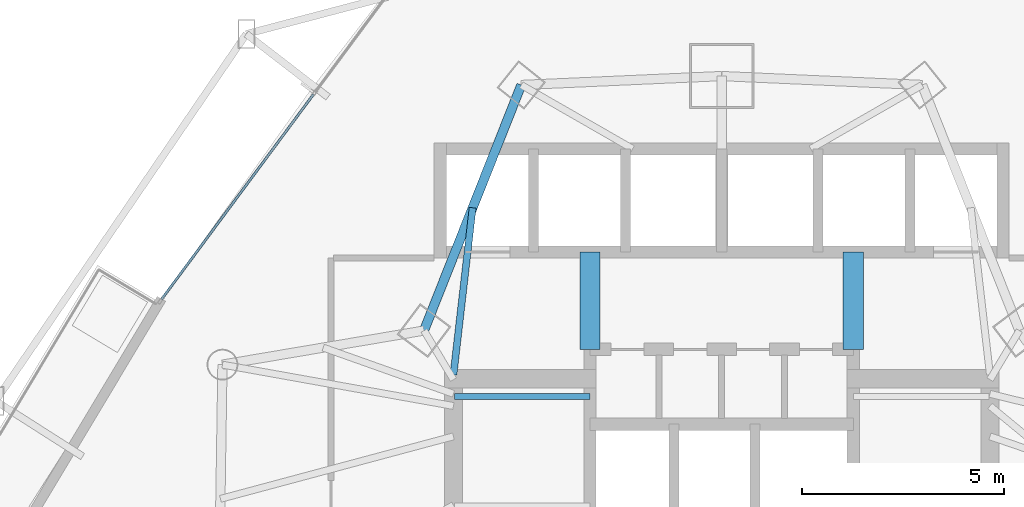
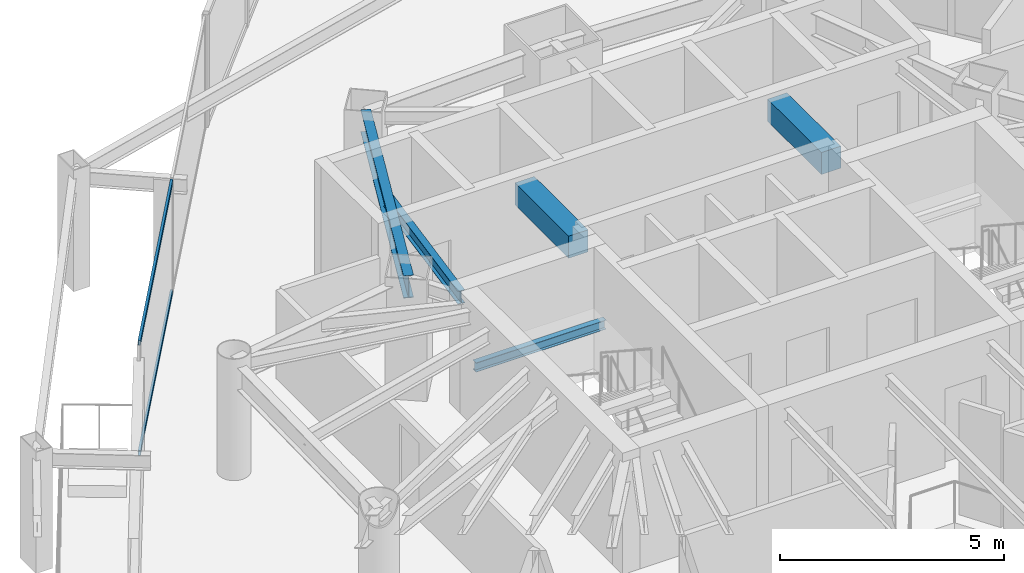
# One storey, part 24 of 38: 5 beams, 2 members, 1 element without a shape of its own.
"""IFC4 building model written with IfcOpenShell, lengths in metres."""

from ifc_helpers import new_model, si_unit, direction, frame, origin, origin_2d, place, context, subcontext, project, spatial, rectangle, hollow_rectangle, i_section, extrude, material, layer, layer_set, material_profile, profile_set, type_object, element, aggregate, save


model = new_model("IFC4")

# Units and contexts
model_context = context("Model", 3, precision=1e-05, world=origin(), true_north=direction((0.0, 1.0)))
body_context = subcontext(model_context, "Body", "Model", "MODEL_VIEW")
ifc_project = project(units=[si_unit("LENGTHUNIT", "METRE"), si_unit("AREAUNIT", "SQUARE_METRE"), si_unit("VOLUMEUNIT", "CUBIC_METRE"), si_unit("PLANEANGLEUNIT", "RADIAN"), si_unit("MASSUNIT", "GRAM", prefix="KILO")], contexts=[model_context])

# Site, building, storey
site_placement = place(None, origin())
site = spatial("IfcSite", under=ifc_project, at=site_placement, CompositionType="ELEMENT")
building_placement = place(site_placement, origin())
building = spatial("IfcBuilding", under=site, at=building_placement, Name="Orvanel Arch Residences", CompositionType="ELEMENT")
storey_placement = place(building_placement, frame((0.0, 0.0, 46.699951171875)))
storey = spatial("IfcBuildingStorey", under=building, at=storey_placement, Name="L12", CompositionType="ELEMENT", Elevation=46.699951171875)

# Beams
ifc_material_1 = material(Name="Structural steel AS/NZS 3679.1 Grade 300 (300 MPa)", Category="steel")
ifc_material_profile_1 = material_profile(ifc_material_1, i_section(OverallWidth=0.14599609375, OverallDepth=0.251953125, WebThickness=0.006103515625, FlangeThickness=0.008544921875, at=origin_2d()), Name="250UB31.4")
ifc_profile_set_1 = profile_set([ifc_material_profile_1], Name="Structural steel AS/NZS 3679.1 Grade 300 (300 MPa)")
beam_type_1 = type_object("IfcBeamType", Name="BJ-250UB", PredefinedType="JOIST", material=ifc_profile_set_1)
beam_1_placement = place(storey_placement, frame((26.39990234375, 33.47998046875, 1.323974609375), z_axis=(1.0, 0.0, 0.0), x_axis=(0.0, 1.0, 0.0)))
element("IfcBeam", 1, at=beam_1_placement, inside=storey, type_object=beam_type_1, Name="L12 ST-1 Half-Landing Support Beam 1.2", PredefinedType="JOIST", context=body_context, shape_type="SweptSolid", body=[
    extrude(i_section(OverallWidth=0.14599609375, OverallDepth=0.251953125, WebThickness=0.006103515625, FlangeThickness=0.008544921875, at=origin_2d()), origin(), (0.0, 0.0, 1.0), 3.35009765625),
])
ifc_material_profile_2 = material_profile(ifc_material_1, i_section(OverallWidth=0.1708984375, OverallDepth=0.35595703125, WebThickness=0.00732421875, FlangeThickness=0.011474609375, at=origin_2d()), Name="360UB50.7")
ifc_profile_set_2 = profile_set([ifc_material_profile_2], Name="Structural steel AS/NZS 3679.1 Grade 300 (300 MPa)")
beam_type_2 = type_object("IfcBeamType", Name="BJ-360UB", PredefinedType="JOIST", material=ifc_profile_set_2)
beam_2_placement = place(storey_placement, frame((26.375, 34.02001953125, 2.882080078125), z_axis=(0.114186670431, 0.993459311847, 0.0), x_axis=(-0.993459311847, 0.114186670431, 0.0)))
element("IfcBeam", 2, at=beam_2_placement, inside=storey, type_object=beam_type_2, Name="L12 NNW2 Wing Floor Joist", PredefinedType="JOIST", context=body_context, shape_type="SweptSolid", body=[
    extrude(i_section(OverallWidth=0.1708984375, OverallDepth=0.35595703125, WebThickness=0.00732421875, FlangeThickness=0.011474609375, at=origin_2d()), origin(), (0.0, 0.0, 1.0), 4.152099609375),
])
ifc_material_2 = material(Name="Concrete S65 (65 MPa)", Category="concrete")
ifc_material_profile_3 = material_profile(ifc_material_2, rectangle(XDim=0.5, YDim=0.60009765625, at=origin_2d()), Name="RC500x600")
ifc_profile_set_3 = profile_set([ifc_material_profile_3], Name="Concrete S65 (65 MPa)")
beam_type_3 = type_object("IfcBeamType", Name="CB-500x600", PredefinedType="LINTEL", material=ifc_profile_set_3)
for number, where, z_axis, x_axis, name in (
    (3, (29.75, 34.64990234375, 2.760009765625), (0.0, 1.0, 0.0), (-1.0, 0.0, 0.0), "L12 West Core Lobby Coupling Lintel Beam"),
    (4, (36.25, 34.64990234375, 2.760009765625), (0.0, 1.0, 0.0), (-1.0, 0.0, 0.0), "L12 East Core Lobby Coupling Lintel Beam"),
):
    element("IfcBeam", number, at=place(storey_placement, frame(where, z_axis=z_axis, x_axis=x_axis)), inside=storey, type_object=beam_type_3, Name=name, PredefinedType="LINTEL", context=body_context, shape_type="SweptSolid", body=[
        extrude(rectangle(XDim=0.5, YDim=0.60009765625, at=origin_2d()), origin(), (0.0, 0.0, 1.0), 2.400146484375),
    ])
ifc_material_profile_4 = material_profile(ifc_material_1, i_section(OverallWidth=0.22900390625, OverallDepth=0.612060546875, WebThickness=0.011962890625, FlangeThickness=0.01953125, at=origin_2d()), Name="610UB125")
ifc_profile_set_4 = profile_set([ifc_material_profile_4], Name="Structural steel AS/NZS 3679.1 Grade 300 (300 MPa)")
beam_type_4 = type_object("IfcBeamType", Name="SP-610UB", PredefinedType="SPANDREL", material=ifc_profile_set_4)
beam_3_placement = place(storey_placement, frame((28.050048828125, 41.177978515625, 2.754150390625), z_axis=(-0.368233143579, -0.929733484376, 0.0), x_axis=(0.929733484376, -0.368233143579, 0.0)))
element("IfcBeam", 5, at=beam_3_placement, inside=storey, type_object=beam_type_4, Name="L12 Perimeter Spandrel Beam 18", PredefinedType="SPANDREL", context=body_context, shape_type="SweptSolid", body=[
    extrude(i_section(OverallWidth=0.22900390625, OverallDepth=0.612060546875, WebThickness=0.011962890625, FlangeThickness=0.01953125, at=origin_2d()), origin(), (0.0, 0.0, 1.0), 6.523193359375),
])

# Curtain wall, members
ifc_material_3 = material(Name="Bronze-anodised aluminium AA6063-T6", Category="aluminium")
ifc_layer = layer(ifc_material_3, 0.179931640625)
ifc_layer_set = layer_set([ifc_layer], Name="Bronze-anodised aluminium AA6063-T6")
curtain_wall_type = type_object("IfcCurtainWallType", Name="CW2-LOW-SYS", PredefinedType="NOTDEFINED", material=ifc_layer_set)
curtain_wall_placement = place(storey_placement, origin())
curtain_wall = element("IfcCurtainWall", 6, at=curtain_wall_placement, inside=storey, type_object=curtain_wall_type, Name="L12 CW2-LOW-SYS Unitised Curtain Wall", PredefinedType="NOTDEFINED")
ifc_material_profile_5 = material_profile(ifc_material_3, hollow_rectangle(XDim=0.06005859375, YDim=0.135009765625, WallThickness=0.00390625, at=origin_2d()), Name="ALU135x60x4")
ifc_profile_set_5 = profile_set([ifc_material_profile_5], Name="Bronze-anodised aluminium AA6063-T6")
member_type = type_object("IfcMemberType", Name="TRN-135x60", PredefinedType="USERDEFINED", material=ifc_profile_set_5)
member_1_placement = place(storey_placement, frame((22.918701171875, 40.947265625, 0.030029296875), z_axis=(-0.595490625908, -0.803362256056, 0.0), x_axis=(0.803362256056, -0.595490625908, 0.0)))
member_1 = element("IfcMember", 7, at=member_1_placement, type_object=member_type, Name="CW-S2 transom 2.1", ObjectType="TRANSOM", PredefinedType="USERDEFINED", context=body_context, shape_type="SweptSolid", body=[
    extrude(hollow_rectangle(XDim=0.06005859375, YDim=0.135009765625, WallThickness=0.00390625, at=origin_2d()), origin(), (0.0, 0.0, 1.0), 6.30224609375),
])
member_2_placement = place(storey_placement, frame((22.918701171875, 40.947265625, 3.030029296875), z_axis=(-0.595490625908, -0.803362256056, 0.0), x_axis=(0.803362256056, -0.595490625908, 0.0)))
member_2 = element("IfcMember", 8, at=member_2_placement, type_object=member_type, Name="CW-S2 transom 2.2", ObjectType="TRANSOM", PredefinedType="USERDEFINED", context=body_context, shape_type="SweptSolid", body=[
    extrude(hollow_rectangle(XDim=0.06005859375, YDim=0.135009765625, WallThickness=0.00390625, at=origin_2d()), origin(), (0.0, 0.0, 1.0), 6.30224609375),
])
aggregate(curtain_wall, [member_1, member_2])

save(model, "model.ifc")
